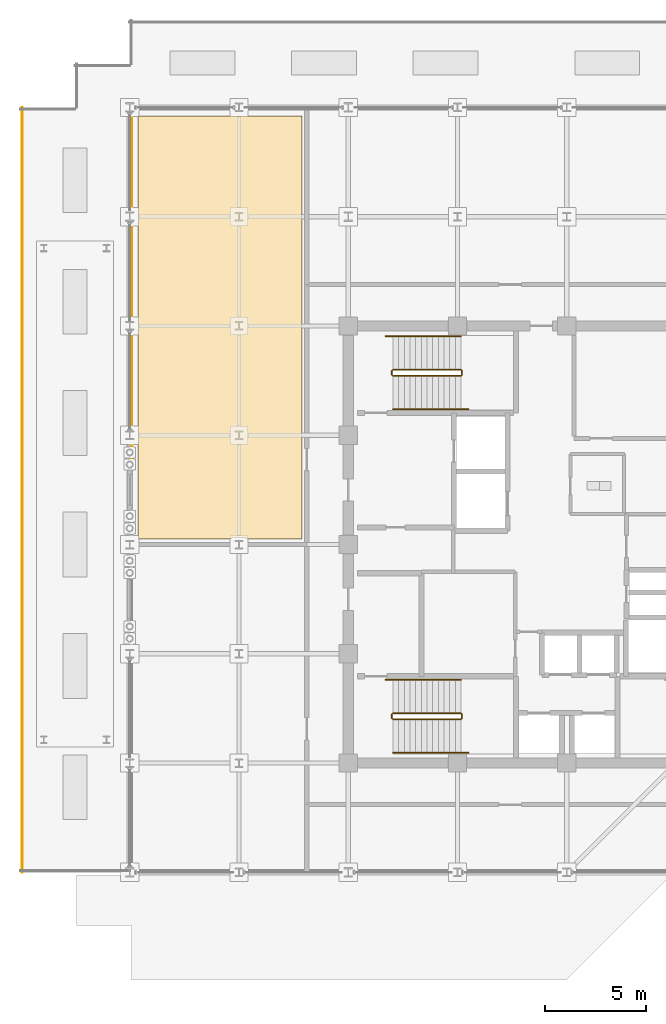
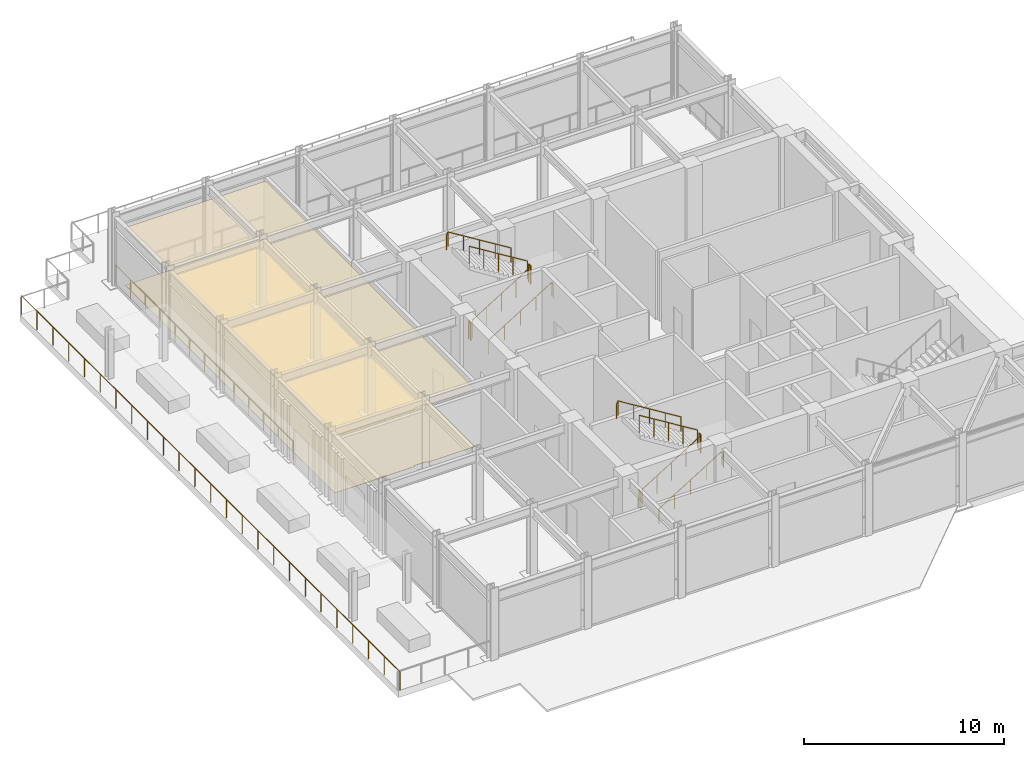
# One storey, part 18 of 22: 14 railings, 2 coverings.
"""IFC4 building model written with IfcOpenShell, lengths in metres."""

from ifc_helpers import new_model, si_unit, direction, frame, origin, origin_2d, place, context, subcontext, project, spatial, polyline, circle, outline, extrude, material, layer, layer_set, type_object, element, save


model = new_model("IFC4")

# Units and contexts
model_context = context("Model", 3, precision=1e-05, world=origin(), true_north=direction((0.0, 1.0)))
body_context = subcontext(model_context, "Body", "Model", "MODEL_VIEW")
ifc_project = project(units=[si_unit("LENGTHUNIT", "METRE"), si_unit("AREAUNIT", "SQUARE_METRE"), si_unit("VOLUMEUNIT", "CUBIC_METRE"), si_unit("PLANEANGLEUNIT", "RADIAN"), si_unit("MASSUNIT", "GRAM", prefix="KILO")], contexts=[model_context])

# Site, building, storey
site_placement = place(None, origin())
site = spatial("IfcSite", under=ifc_project, at=site_placement, CompositionType="ELEMENT")
building_placement = place(site_placement, origin())
building = spatial("IfcBuilding", under=site, at=building_placement, Name="Surkhivell Harbour Commons", CompositionType="ELEMENT")
storey_placement = place(building_placement, frame((0.0, 0.0, 337.5)))
storey = spatial("IfcBuildingStorey", under=building, at=storey_placement, Name="L88", CompositionType="ELEMENT", Elevation=337.5)

# Coverings
ifc_material_1 = material(Name="Perforated acoustic mineral-fibre ceiling tile", Category="other")
ifc_layer_1 = layer(ifc_material_1, 0.02490234375)
ifc_layer_set_1 = layer_set([ifc_layer_1], Name="Perforated acoustic mineral-fibre ceiling tile")
covering_type_1 = type_object("IfcCoveringType", Name="COV-CEIL-AC", PredefinedType="CEILING", material=ifc_layer_set_1)
covering_1_placement = place(storey_placement, frame((0.0, 0.0, 3.501953125)))
element("IfcCovering", 1, at=covering_1_placement, inside=storey, type_object=covering_type_1, Name="L88 Suspended Acoustic Ceiling 1", PredefinedType="CEILING", context=body_context, shape_type="SweptSolid", body=[
    extrude(outline(polyline([(-21.179931640625, 21.179931640625), (-21.179931640625, 0.27001953125), (-16.550048828125, 0.27001953125), (-16.550048828125, 0.35009765625), (-15.85009765625, 0.35009765625), (-15.85009765625, 0.27001953125), (-13.090087890625, 0.27001953125), (-13.090087890625, 21.179931640625), (-21.179931640625, 21.179931640625)])), origin(), (0.0, 0.0, 1.0), 0.025146484375),
])
ifc_material_2 = material(Name="Engineered acoustic oak timber flooring", Category="wood")
ifc_layer_2 = layer(ifc_material_2, 0.02001953125)
ifc_layer_set_2 = layer_set([ifc_layer_2], Name="Engineered acoustic oak timber flooring")
covering_type_2 = type_object("IfcCoveringType", Name="COV-FLR-TIM", PredefinedType="FLOORING", material=ifc_layer_set_2)
covering_2_placement = place(storey_placement, origin())
element("IfcCovering", 2, at=covering_2_placement, inside=storey, type_object=covering_type_2, Name="L88 Interior Floor Finish 1", PredefinedType="FLOORING", context=body_context, shape_type="SweptSolid", body=[
    extrude(outline(polyline([(-21.179931640625, 21.179931640625), (-21.179931640625, 0.27001953125), (-16.550048828125, 0.27001953125), (-16.550048828125, 0.35009765625), (-15.85009765625, 0.35009765625), (-15.85009765625, 0.27001953125), (-13.090087890625, 0.27001953125), (-13.090087890625, 21.179931640625), (-21.179931640625, 21.179931640625)])), origin(), (0.0, 0.0, 1.0), 0.02001953125),
])

# Railings
ifc_material_3 = material(Name="Laminated safety glass and stainless steel S355 balustrade", Category="steel")
railing_type_1 = type_object("IfcRailingType", Name="RAL-BAL-1150", PredefinedType="BALUSTRADE", material=ifc_material_3)
railing_1_placement = place(storey_placement, frame((-21.510009765625, 3.85009765625, 0.0)))
element("IfcRailing", 3, at=railing_1_placement, inside=storey, type_object=railing_type_1, Name="L88 Perimeter Safety Guard 04B", PredefinedType="BALUSTRADE", context=body_context, shape_type="SweptSolid", body=[
    extrude(circle(Radius=0.02392578125, at=origin_2d()), frame((0.0, 0.0, 1.1259765625), z_axis=(0.0, 1.0, 0.0), x_axis=(-1.0, 0.0, 0.0)), (0.0, 0.0, 1.0), 17.699951171875),
    extrude(circle(Radius=0.02099609375, at=origin_2d()), origin(), (0.0, 0.0, 1.0), 1.101806640625),
    extrude(circle(Radius=0.02099609375, at=origin_2d()), frame((0.0, 1.47509765625, 0.0)), (0.0, 0.0, 1.0), 1.101806640625),
    extrude(circle(Radius=0.02099609375, at=origin_2d()), frame((0.0, 2.949951171875, 0.0)), (0.0, 0.0, 1.0), 1.101806640625),
    extrude(circle(Radius=0.02099609375, at=origin_2d()), frame((0.0, 4.425048828125, 0.0)), (0.0, 0.0, 1.0), 1.101806640625),
    extrude(circle(Radius=0.02099609375, at=origin_2d()), frame((0.0, 5.89990234375, 0.0)), (0.0, 0.0, 1.0), 1.101806640625),
    extrude(circle(Radius=0.02099609375, at=origin_2d()), frame((0.0, 7.375, 0.0)), (0.0, 0.0, 1.0), 1.101806640625),
    extrude(circle(Radius=0.02099609375, at=origin_2d()), frame((0.0, 8.85009765625, 0.0)), (0.0, 0.0, 1.0), 1.101806640625),
    extrude(circle(Radius=0.02099609375, at=origin_2d()), frame((0.0, 10.324951171875, 0.0)), (0.0, 0.0, 1.0), 1.101806640625),
    extrude(circle(Radius=0.02099609375, at=origin_2d()), frame((0.0, 11.800048828125, 0.0)), (0.0, 0.0, 1.0), 1.101806640625),
    extrude(circle(Radius=0.02099609375, at=origin_2d()), frame((0.0, 13.27490234375, 0.0)), (0.0, 0.0, 1.0), 1.101806640625),
    extrude(circle(Radius=0.02099609375, at=origin_2d()), frame((0.0, 14.75, 0.0)), (0.0, 0.0, 1.0), 1.101806640625),
    extrude(circle(Radius=0.02099609375, at=origin_2d()), frame((0.0, 16.224853515625, 0.0)), (0.0, 0.0, 1.0), 1.101806640625),
    extrude(circle(Radius=0.02099609375, at=origin_2d()), frame((0.0, 17.699951171875, 0.0)), (0.0, 0.0, 1.0), 1.101806640625),
])
railing_2_placement = place(storey_placement, frame((-26.919921875, 21.60009765625, 0.0)))
element("IfcRailing", 4, at=railing_2_placement, inside=storey, type_object=railing_type_1, Name="L88 Crown Sky-Garden Balustrade 10", PredefinedType="BALUSTRADE", context=body_context, shape_type="SweptSolid", body=[
    extrude(circle(Radius=0.02392578125, at=origin_2d()), frame((0.0, 0.0, 1.1259765625), z_axis=(0.0, -1.0, 0.0), x_axis=(1.0, 0.0, 0.0)), (0.0, 0.0, 1.0), 37.800048828125),
    extrude(circle(Radius=0.02099609375, at=origin_2d()), origin(), (0.0, 0.0, 1.0), 1.101806640625),
    extrude(circle(Radius=0.02099609375, at=origin_2d()), frame((0.0, -1.574951171875, 0.0)), (0.0, 0.0, 1.0), 1.101806640625),
    extrude(circle(Radius=0.02099609375, at=origin_2d()), frame((0.0, -3.14990234375, 0.0)), (0.0, 0.0, 1.0), 1.101806640625),
    extrude(circle(Radius=0.02099609375, at=origin_2d()), frame((0.0, -4.72509765625, 0.0)), (0.0, 0.0, 1.0), 1.101806640625),
    extrude(circle(Radius=0.02099609375, at=origin_2d()), frame((0.0, -6.300048828125, 0.0)), (0.0, 0.0, 1.0), 1.101806640625),
    extrude(circle(Radius=0.02099609375, at=origin_2d()), frame((0.0, -7.875, 0.0)), (0.0, 0.0, 1.0), 1.101806640625),
    extrude(circle(Radius=0.02099609375, at=origin_2d()), frame((0.0, -9.449951171875, 0.0)), (0.0, 0.0, 1.0), 1.101806640625),
    extrude(circle(Radius=0.02099609375, at=origin_2d()), frame((0.0, -11.02490234375, 0.0)), (0.0, 0.0, 1.0), 1.101806640625),
    extrude(circle(Radius=0.02099609375, at=origin_2d()), frame((0.0, -12.60009765625, 0.0)), (0.0, 0.0, 1.0), 1.101806640625),
    extrude(circle(Radius=0.02099609375, at=origin_2d()), frame((0.0, -14.175048828125, 0.0)), (0.0, 0.0, 1.0), 1.101806640625),
    extrude(circle(Radius=0.02099609375, at=origin_2d()), frame((0.0, -15.75, 0.0)), (0.0, 0.0, 1.0), 1.101806640625),
    extrude(circle(Radius=0.02099609375, at=origin_2d()), frame((0.0, -17.324951171875, 0.0)), (0.0, 0.0, 1.0), 1.101806640625),
    extrude(circle(Radius=0.02099609375, at=origin_2d()), frame((0.0, -18.89990234375, 0.0)), (0.0, 0.0, 1.0), 1.101806640625),
    extrude(circle(Radius=0.02099609375, at=origin_2d()), frame((0.0, -20.47509765625, 0.0)), (0.0, 0.0, 1.0), 1.101806640625),
    extrude(circle(Radius=0.02099609375, at=origin_2d()), frame((0.0, -22.050048828125, 0.0)), (0.0, 0.0, 1.0), 1.101806640625),
    extrude(circle(Radius=0.02099609375, at=origin_2d()), frame((0.0, -23.625, 0.0)), (0.0, 0.0, 1.0), 1.101806640625),
    extrude(circle(Radius=0.02099609375, at=origin_2d()), frame((0.0, -25.199951171875, 0.0)), (0.0, 0.0, 1.0), 1.101806640625),
    extrude(circle(Radius=0.02099609375, at=origin_2d()), frame((0.0, -26.775146484375, 0.0)), (0.0, 0.0, 1.0), 1.101806640625),
    extrude(circle(Radius=0.02099609375, at=origin_2d()), frame((0.0, -28.35009765625, 0.0)), (0.0, 0.0, 1.0), 1.101806640625),
    extrude(circle(Radius=0.02099609375, at=origin_2d()), frame((0.0, -29.925048828125, 0.0)), (0.0, 0.0, 1.0), 1.101806640625),
    extrude(circle(Radius=0.02099609375, at=origin_2d()), frame((0.0, -31.5, 0.0)), (0.0, 0.0, 1.0), 1.101806640625),
    extrude(circle(Radius=0.02099609375, at=origin_2d()), frame((0.0, -33.074951171875, 0.0)), (0.0, 0.0, 1.0), 1.101806640625),
    extrude(circle(Radius=0.02099609375, at=origin_2d()), frame((0.0, -34.650146484375, 0.0)), (0.0, 0.0, 1.0), 1.101806640625),
    extrude(circle(Radius=0.02099609375, at=origin_2d()), frame((0.0, -36.22509765625, 0.0)), (0.0, 0.0, 1.0), 1.101806640625),
    extrude(circle(Radius=0.02099609375, at=origin_2d()), frame((0.0, -37.800048828125, 0.0)), (0.0, 0.0, 1.0), 1.101806640625),
])
ifc_material_4 = material(Name="Galvanised and painted steel S355 guard rail", Category="steel")
railing_type_2 = type_object("IfcRailingType", Name="RAL-ST-GRD1100", PredefinedType="GUARDRAIL", material=ifc_material_4)
railing_3_placement = place(storey_placement, frame((-8.590087890625, 8.340087890625, 0.173095703125)))
element("IfcRailing", 5, at=railing_3_placement, inside=storey, type_object=railing_type_2, Name="L88 ST1 stair guard 1", PredefinedType="GUARDRAIL", context=body_context, shape_type="SweptSolid", body=[
    extrude(circle(Radius=0.02392578125, at=origin_2d()), frame((0.0, 0.0, 1.076171875), z_axis=(0.850623216509, 0.0, 0.525775754039), x_axis=(0.0, 1.0, 0.0)), (0.0, 0.0, 1.0), 3.9501953125),
    extrude(circle(Radius=0.02099609375, at=origin_2d()), origin(), (0.0, 0.0, 1.0), 1.052001953125),
    extrude(circle(Radius=0.02099609375, at=origin_2d()), frame((0.840087890625, 0.0, 0.519287109375)), (0.0, 0.0, 1.0), 1.052001953125),
    extrude(circle(Radius=0.02099609375, at=origin_2d()), frame((1.68017578125, 0.0, 1.03857421875)), (0.0, 0.0, 1.0), 1.052001953125),
    extrude(circle(Radius=0.02099609375, at=origin_2d()), frame((2.52001953125, 0.0, 1.5576171875)), (0.0, 0.0, 1.0), 1.052001953125),
    extrude(circle(Radius=0.02099609375, at=origin_2d()), frame((3.360107421875, 0.0, 2.076904296875)), (0.0, 0.0, 1.0), 1.052001953125),
])
railing_4_placement = place(storey_placement, frame((-5.179931640625, 8.389892578125, 2.25)))
element("IfcRailing", 6, at=railing_4_placement, inside=storey, type_object=railing_type_2, Name="L88 ST1 stair guard 2", PredefinedType="GUARDRAIL", context=body_context, shape_type="SweptSolid", body=[
    extrude(circle(Radius=0.02392578125, at=origin_2d()), frame((0.0, 0.0, 1.076171875), z_axis=(0.0, 1.0, 0.0), x_axis=(-1.0, 0.0, 0.0)), (0.0, 0.0, 1.0), 0.2001953125),
    extrude(circle(Radius=0.02099609375, at=origin_2d()), origin(), (0.0, 0.0, 1.0), 1.052001953125),
    extrude(circle(Radius=0.02099609375, at=origin_2d()), frame((0.0, 0.2001953125, 0.0)), (0.0, 0.0, 1.0), 1.052001953125),
])
railing_5_placement = place(storey_placement, frame((-5.22998046875, 8.639892578125, 2.423095703125)))
element("IfcRailing", 7, at=railing_5_placement, inside=storey, type_object=railing_type_2, Name="L88 ST1 stair guard 3", PredefinedType="GUARDRAIL", context=body_context, shape_type="SweptSolid", body=[
    extrude(circle(Radius=0.02392578125, at=origin_2d()), frame((0.0, 0.0, 1.076171875), z_axis=(-0.850623216509, 0.0, 0.525775754039), x_axis=(0.0, -1.0, 0.0)), (0.0, 0.0, 1.0), 3.9501953125),
    extrude(circle(Radius=0.02099609375, at=origin_2d()), origin(), (0.0, 0.0, 1.0), 1.052001953125),
    extrude(circle(Radius=0.02099609375, at=origin_2d()), frame((-0.840087890625, 0.0, 0.519287109375)), (0.0, 0.0, 1.0), 1.052001953125),
    extrude(circle(Radius=0.02099609375, at=origin_2d()), frame((-1.68017578125, 0.0, 1.03857421875)), (0.0, 0.0, 1.0), 1.052001953125),
    extrude(circle(Radius=0.02099609375, at=origin_2d()), frame((-2.52001953125, 0.0, 1.5576171875)), (0.0, 0.0, 1.0), 1.052001953125),
    extrude(circle(Radius=0.02099609375, at=origin_2d()), frame((-3.360107421875, 0.0, 2.076904296875)), (0.0, 0.0, 1.0), 1.052001953125),
])
railing_6_placement = place(storey_placement, frame((-8.639892578125, 8.389892578125, 0.0)))
element("IfcRailing", 8, at=railing_6_placement, inside=storey, type_object=railing_type_2, Name="L88 ST1 stair guard 4", PredefinedType="GUARDRAIL", context=body_context, shape_type="SweptSolid", body=[
    extrude(circle(Radius=0.02392578125, at=origin_2d()), frame((0.0, 0.0, 1.076171875), z_axis=(0.0, 1.0, 0.0), x_axis=(-1.0, 0.0, 0.0)), (0.0, 0.0, 1.0), 0.2001953125),
    extrude(circle(Radius=0.02099609375, at=origin_2d()), origin(), (0.0, 0.0, 1.0), 1.052001953125),
    extrude(circle(Radius=0.02099609375, at=origin_2d()), frame((0.0, 0.2001953125, 0.0)), (0.0, 0.0, 1.0), 1.052001953125),
])
railing_7_placement = place(storey_placement, frame((-8.590087890625, -8.639892578125, 0.173095703125)))
element("IfcRailing", 9, at=railing_7_placement, inside=storey, type_object=railing_type_2, Name="L88 ST3 stair guard 1", PredefinedType="GUARDRAIL", context=body_context, shape_type="SweptSolid", body=[
    extrude(circle(Radius=0.02392578125, at=origin_2d()), frame((0.0, 0.0, 1.076171875), z_axis=(0.850623216509, 0.0, 0.525775754039), x_axis=(0.0, 1.0, 0.0)), (0.0, 0.0, 1.0), 3.9501953125),
    extrude(circle(Radius=0.02099609375, at=origin_2d()), origin(), (0.0, 0.0, 1.0), 1.052001953125),
    extrude(circle(Radius=0.02099609375, at=origin_2d()), frame((0.840087890625, 0.0, 0.519287109375)), (0.0, 0.0, 1.0), 1.052001953125),
    extrude(circle(Radius=0.02099609375, at=origin_2d()), frame((1.68017578125, 0.0, 1.03857421875)), (0.0, 0.0, 1.0), 1.052001953125),
    extrude(circle(Radius=0.02099609375, at=origin_2d()), frame((2.52001953125, 0.0, 1.5576171875)), (0.0, 0.0, 1.0), 1.052001953125),
    extrude(circle(Radius=0.02099609375, at=origin_2d()), frame((3.360107421875, 0.0, 2.076904296875)), (0.0, 0.0, 1.0), 1.052001953125),
])
railing_8_placement = place(storey_placement, frame((-5.179931640625, -8.590087890625, 2.25)))
element("IfcRailing", 10, at=railing_8_placement, inside=storey, type_object=railing_type_2, Name="L88 ST3 stair guard 2", PredefinedType="GUARDRAIL", context=body_context, shape_type="SweptSolid", body=[
    extrude(circle(Radius=0.02392578125, at=origin_2d()), frame((0.0, 0.0, 1.076171875), z_axis=(0.0, 1.0, 0.0), x_axis=(-1.0, 0.0, 0.0)), (0.0, 0.0, 1.0), 0.2001953125),
    extrude(circle(Radius=0.02099609375, at=origin_2d()), origin(), (0.0, 0.0, 1.0), 1.052001953125),
    extrude(circle(Radius=0.02099609375, at=origin_2d()), frame((0.0, 0.2001953125, 0.0)), (0.0, 0.0, 1.0), 1.052001953125),
])
railing_9_placement = place(storey_placement, frame((-5.22998046875, -8.340087890625, 2.423095703125)))
element("IfcRailing", 11, at=railing_9_placement, inside=storey, type_object=railing_type_2, Name="L88 ST3 stair guard 3", PredefinedType="GUARDRAIL", context=body_context, shape_type="SweptSolid", body=[
    extrude(circle(Radius=0.02392578125, at=origin_2d()), frame((0.0, 0.0, 1.076171875), z_axis=(-0.850623216509, 0.0, 0.525775754039), x_axis=(0.0, -1.0, 0.0)), (0.0, 0.0, 1.0), 3.9501953125),
    extrude(circle(Radius=0.02099609375, at=origin_2d()), origin(), (0.0, 0.0, 1.0), 1.052001953125),
    extrude(circle(Radius=0.02099609375, at=origin_2d()), frame((-0.840087890625, 0.0, 0.519287109375)), (0.0, 0.0, 1.0), 1.052001953125),
    extrude(circle(Radius=0.02099609375, at=origin_2d()), frame((-1.68017578125, 0.0, 1.03857421875)), (0.0, 0.0, 1.0), 1.052001953125),
    extrude(circle(Radius=0.02099609375, at=origin_2d()), frame((-2.52001953125, 0.0, 1.5576171875)), (0.0, 0.0, 1.0), 1.052001953125),
    extrude(circle(Radius=0.02099609375, at=origin_2d()), frame((-3.360107421875, 0.0, 2.076904296875)), (0.0, 0.0, 1.0), 1.052001953125),
])
railing_10_placement = place(storey_placement, frame((-8.639892578125, -8.590087890625, 0.0)))
element("IfcRailing", 12, at=railing_10_placement, inside=storey, type_object=railing_type_2, Name="L88 ST3 stair guard 4", PredefinedType="GUARDRAIL", context=body_context, shape_type="SweptSolid", body=[
    extrude(circle(Radius=0.02392578125, at=origin_2d()), frame((0.0, 0.0, 1.076171875), z_axis=(0.0, 1.0, 0.0), x_axis=(-1.0, 0.0, 0.0)), (0.0, 0.0, 1.0), 0.2001953125),
    extrude(circle(Radius=0.02099609375, at=origin_2d()), origin(), (0.0, 0.0, 1.0), 1.052001953125),
    extrude(circle(Radius=0.02099609375, at=origin_2d()), frame((0.0, 0.2001953125, 0.0)), (0.0, 0.0, 1.0), 1.052001953125),
])
ifc_material_5 = material(Name="Brushed stainless steel S355 handrail", Category="steel")
railing_type_3 = type_object("IfcRailingType", Name="RAL-ST-HND900", PredefinedType="HANDRAIL", material=ifc_material_5)
railing_11_placement = place(storey_placement, frame((-8.590087890625, 6.68994140625, 0.173095703125)))
element("IfcRailing", 13, at=railing_11_placement, inside=storey, type_object=railing_type_3, Name="L88 ST1 stair handrail 1", PredefinedType="HANDRAIL", context=body_context, shape_type="SweptSolid", body=[
    extrude(circle(Radius=0.02392578125, at=origin_2d()), frame((0.0, 0.0, 0.8759765625), z_axis=(0.850622404505, 0.0, 0.525777067734), x_axis=(0.0, 1.0, 0.0)), (0.0, 0.0, 1.0), 4.279296875),
    extrude(circle(Radius=0.02392578125, at=origin_2d()), frame((3.64013671875, 0.0, 3.1259765625), z_axis=(0.418814502111, 0.0, -0.908071810388), x_axis=(0.0, 1.0, 0.0)), (0.0, 0.0, 1.0), 0.190673828125),
    extrude(circle(Radius=0.02099609375, at=origin_2d()), origin(), (0.0, 0.0, 1.0), 0.851806640625),
    extrude(circle(Radius=0.02099609375, at=origin_2d()), frame((0.91015625, 0.0, 0.5625)), (0.0, 0.0, 1.0), 0.851806640625),
    extrude(circle(Radius=0.02099609375, at=origin_2d()), frame((1.820068359375, 0.0, 1.125)), (0.0, 0.0, 1.0), 0.851806640625),
    extrude(circle(Radius=0.02099609375, at=origin_2d()), frame((2.72998046875, 0.0, 1.6875)), (0.0, 0.0, 1.0), 0.851806640625),
    extrude(circle(Radius=0.02099609375, at=origin_2d()), frame((3.64013671875, 0.0, 2.25)), (0.0, 0.0, 1.0), 0.851806640625),
    extrude(circle(Radius=0.02099609375, at=origin_2d()), frame((3.719970703125, 0.0, 2.076904296875)), (0.0, 0.0, 1.0), 0.851806640625),
])
railing_12_placement = place(storey_placement, frame((-5.22998046875, 10.2900390625, 2.423095703125)))
element("IfcRailing", 14, at=railing_12_placement, inside=storey, type_object=railing_type_3, Name="L88 ST1 stair handrail 2", PredefinedType="HANDRAIL", context=body_context, shape_type="SweptSolid", body=[
    extrude(circle(Radius=0.02392578125, at=origin_2d()), frame((0.0, 0.0, 0.8759765625), z_axis=(-0.850622404505, 0.0, 0.525777067734), x_axis=(0.0, -1.0, 0.0)), (0.0, 0.0, 1.0), 4.279296875),
    extrude(circle(Radius=0.02392578125, at=origin_2d()), frame((-3.64013671875, 0.0, 3.1259765625), z_axis=(-0.418814502111, 0.0, -0.908071810388), x_axis=(0.0, -1.0, 0.0)), (0.0, 0.0, 1.0), 0.190673828125),
    extrude(circle(Radius=0.02099609375, at=origin_2d()), origin(), (0.0, 0.0, 1.0), 0.851806640625),
    extrude(circle(Radius=0.02099609375, at=origin_2d()), frame((-0.91015625, 0.0, 0.5625)), (0.0, 0.0, 1.0), 0.851806640625),
    extrude(circle(Radius=0.02099609375, at=origin_2d()), frame((-1.820068359375, 0.0, 1.125)), (0.0, 0.0, 1.0), 0.851806640625),
    extrude(circle(Radius=0.02099609375, at=origin_2d()), frame((-2.72998046875, 0.0, 1.6875)), (0.0, 0.0, 1.0), 0.851806640625),
    extrude(circle(Radius=0.02099609375, at=origin_2d()), frame((-3.64013671875, 0.0, 2.25)), (0.0, 0.0, 1.0), 0.851806640625),
    extrude(circle(Radius=0.02099609375, at=origin_2d()), frame((-3.719970703125, 0.0, 2.076904296875)), (0.0, 0.0, 1.0), 0.851806640625),
])
railing_13_placement = place(storey_placement, frame((-8.590087890625, -10.2900390625, 0.173095703125)))
element("IfcRailing", 15, at=railing_13_placement, inside=storey, type_object=railing_type_3, Name="L88 ST3 stair handrail 1", PredefinedType="HANDRAIL", context=body_context, shape_type="SweptSolid", body=[
    extrude(circle(Radius=0.02392578125, at=origin_2d()), frame((0.0, 0.0, 0.8759765625), z_axis=(0.850622404505, 0.0, 0.525777067734), x_axis=(0.0, 1.0, 0.0)), (0.0, 0.0, 1.0), 4.279296875),
    extrude(circle(Radius=0.02392578125, at=origin_2d()), frame((3.64013671875, 0.0, 3.1259765625), z_axis=(0.418814502111, 0.0, -0.908071810388), x_axis=(0.0, 1.0, 0.0)), (0.0, 0.0, 1.0), 0.190673828125),
    extrude(circle(Radius=0.02099609375, at=origin_2d()), origin(), (0.0, 0.0, 1.0), 0.851806640625),
    extrude(circle(Radius=0.02099609375, at=origin_2d()), frame((0.91015625, 0.0, 0.5625)), (0.0, 0.0, 1.0), 0.851806640625),
    extrude(circle(Radius=0.02099609375, at=origin_2d()), frame((1.820068359375, 0.0, 1.125)), (0.0, 0.0, 1.0), 0.851806640625),
    extrude(circle(Radius=0.02099609375, at=origin_2d()), frame((2.72998046875, 0.0, 1.6875)), (0.0, 0.0, 1.0), 0.851806640625),
    extrude(circle(Radius=0.02099609375, at=origin_2d()), frame((3.64013671875, 0.0, 2.25)), (0.0, 0.0, 1.0), 0.851806640625),
    extrude(circle(Radius=0.02099609375, at=origin_2d()), frame((3.719970703125, 0.0, 2.076904296875)), (0.0, 0.0, 1.0), 0.851806640625),
])
railing_14_placement = place(storey_placement, frame((-5.22998046875, -6.68994140625, 2.423095703125)))
element("IfcRailing", 16, at=railing_14_placement, inside=storey, type_object=railing_type_3, Name="L88 ST3 stair handrail 2", PredefinedType="HANDRAIL", context=body_context, shape_type="SweptSolid", body=[
    extrude(circle(Radius=0.02392578125, at=origin_2d()), frame((0.0, 0.0, 0.8759765625), z_axis=(-0.850622404505, 0.0, 0.525777067734), x_axis=(0.0, -1.0, 0.0)), (0.0, 0.0, 1.0), 4.279296875),
    extrude(circle(Radius=0.02392578125, at=origin_2d()), frame((-3.64013671875, 0.0, 3.1259765625), z_axis=(-0.418814502111, 0.0, -0.908071810388), x_axis=(0.0, -1.0, 0.0)), (0.0, 0.0, 1.0), 0.190673828125),
    extrude(circle(Radius=0.02099609375, at=origin_2d()), origin(), (0.0, 0.0, 1.0), 0.851806640625),
    extrude(circle(Radius=0.02099609375, at=origin_2d()), frame((-0.91015625, 0.0, 0.5625)), (0.0, 0.0, 1.0), 0.851806640625),
    extrude(circle(Radius=0.02099609375, at=origin_2d()), frame((-1.820068359375, 0.0, 1.125)), (0.0, 0.0, 1.0), 0.851806640625),
    extrude(circle(Radius=0.02099609375, at=origin_2d()), frame((-2.72998046875, 0.0, 1.6875)), (0.0, 0.0, 1.0), 0.851806640625),
    extrude(circle(Radius=0.02099609375, at=origin_2d()), frame((-3.64013671875, 0.0, 2.25)), (0.0, 0.0, 1.0), 0.851806640625),
    extrude(circle(Radius=0.02099609375, at=origin_2d()), frame((-3.719970703125, 0.0, 2.076904296875)), (0.0, 0.0, 1.0), 0.851806640625),
])

save(model, "model.ifc")
